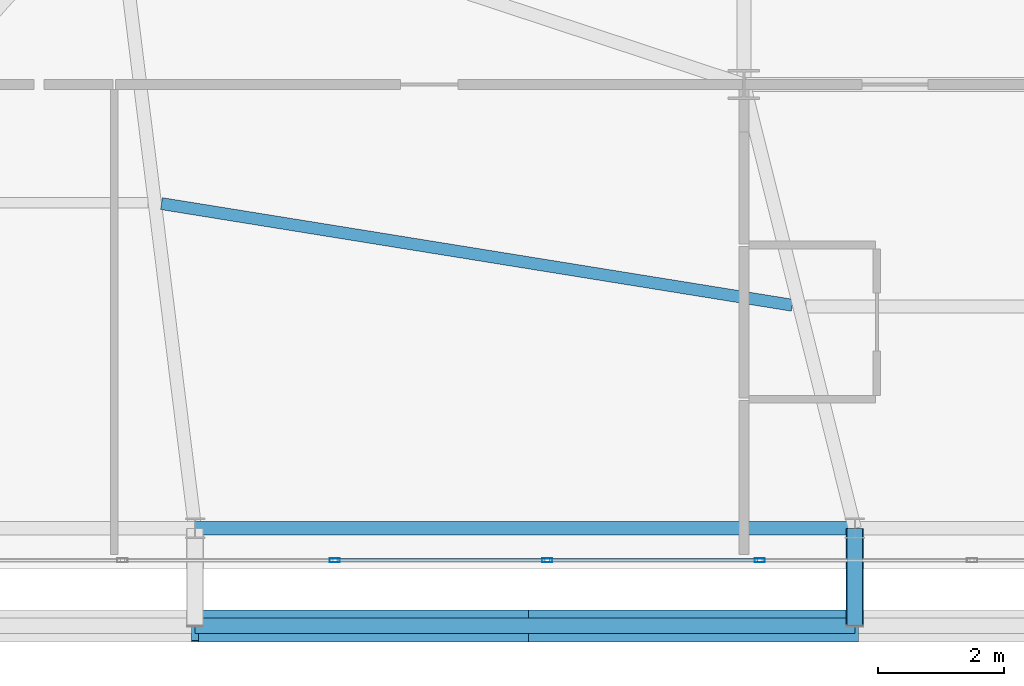
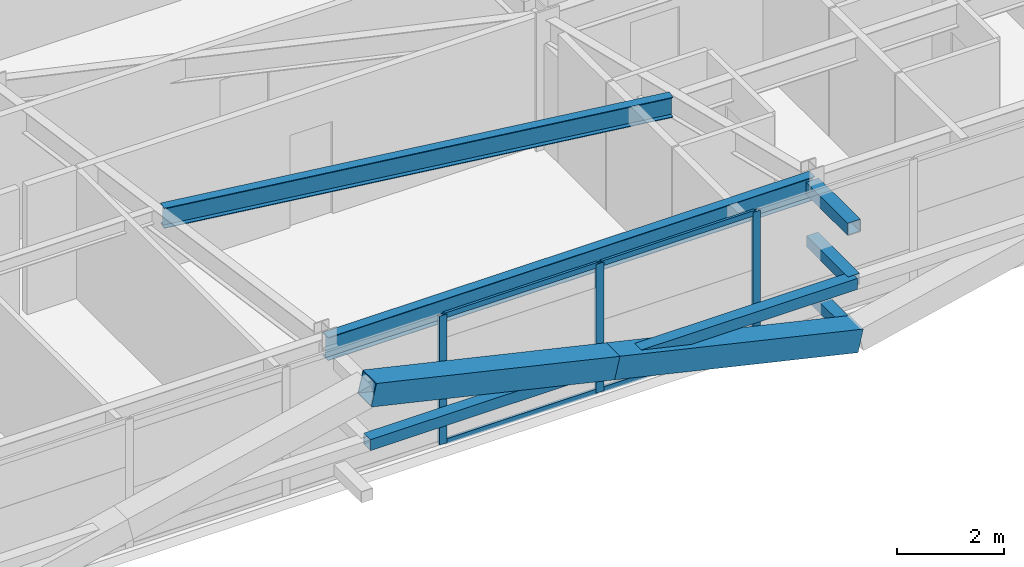
# One storey, part 11 of 59: 13 members, 2 beams, 1 element without a shape of its own.
"""IFC4 building model written with IfcOpenShell, lengths in metres."""

import ifcopenshell
import ifcopenshell.guid

model = None  # the IFC model being written
_history = None  # IfcOwnerHistory: only IFC2X3 demands one
_inside = {}  # id of a spatial element -> (the spatial element, [elements in it])
_under = {}  # id of a project, library or spatial element -> (it, [spatial elements below it])
_declared = {}  # id of a project -> (the project, [libraries it declares])
_typed = {}  # id of a type object -> (the type object, [elements of that type])
_made_of = {}  # id of a material, layer set ... -> (it, [elements and type objects made of it])


def new_model(schema):
    """Start an empty IFC model of exactly this schema.

    Asked for "IFC4X3", IfcOpenShell would pick the latest addendum, in which some entities
    have other attributes; the version numbers below select the first issue.
    IFC2X3 requires an IfcOwnerHistory on every rooted entity: one is made here for all.
    """
    global model, _history
    if schema == "IFC4X3":
        model = ifcopenshell.file(schema_version=(4, 3, 0, 0))
    else:
        model = ifcopenshell.file(schema=schema)
    _inside.clear()
    _under.clear()
    _declared.clear()
    _typed.clear()
    _made_of.clear()
    _history = None
    if model.schema == "IFC2X3":
        org = make("IfcOrganization", Name="unknown")
        user = make(
            "IfcPersonAndOrganization",
            ThePerson=make("IfcPerson", FamilyName="unknown"),
            TheOrganization=org,
        )
        app = make(
            "IfcApplication",
            ApplicationDeveloper=org,
            Version="unknown",
            ApplicationFullName="unknown",
            ApplicationIdentifier="unknown",
        )
        _history = make(
            "IfcOwnerHistory",
            OwningUser=user,
            OwningApplication=app,
            ChangeAction="ADDED",
            CreationDate=0,
        )
    return model


def make(cls, **values):
    """One entity of the class cls with the attributes given. An attribute that is None is left unset."""
    return model.create_entity(
        cls, **{name: value for name, value in values.items() if value is not None}
    )


def rooted(cls, **values):
    """An entity with a GlobalId (a new one), such as an element, a storey or a relation."""
    return make(cls, GlobalId=ifcopenshell.guid.new(), OwnerHistory=_history, **values)


def si_unit(unit_type, name, prefix=None):
    """IfcSIUnit, for example si_unit("LENGTHUNIT", "METRE", prefix="MILLI")."""
    return make("IfcSIUnit", UnitType=unit_type, Prefix=prefix, Name=name)


def assignment(units):
    """IfcUnitAssignment: the units of a project."""
    return None if units is None else make("IfcUnitAssignment", Units=units)


def point(xyz):
    """IfcCartesianPoint."""
    return None if xyz is None else make("IfcCartesianPoint", Coordinates=xyz)


def direction(xyz):
    """IfcDirection."""
    return None if xyz is None else make("IfcDirection", DirectionRatios=xyz)


def frame(location, z_axis=None, x_axis=None):
    """IfcAxis2Placement3D, a coordinate frame: its origin and axes. An axis left out is left unset."""
    return make(
        "IfcAxis2Placement3D",
        Location=point(location),
        Axis=direction(z_axis),
        RefDirection=direction(x_axis),
    )


def frame_2d(location, x_axis=None):
    """IfcAxis2Placement2D, a coordinate frame in the plane: its origin and x axis."""
    return make(
        "IfcAxis2Placement2D", Location=point(location), RefDirection=direction(x_axis)
    )


def origin():
    """The frame at (0, 0, 0) with its axes left unset."""
    return frame((0.0, 0.0, 0.0))


def origin_2d():
    """The frame at (0, 0) in the plane with its x axis left unset."""
    return frame_2d((0.0, 0.0))


def place(relative_to, where):
    """IfcLocalPlacement: puts the frame where relative to a parent placement (None: the world)."""
    return make(
        "IfcLocalPlacement", PlacementRelTo=relative_to, RelativePlacement=where
    )


def context(
    kind, dimensions, precision=None, world=None, true_north=None, identifier=None
):
    """IfcGeometricRepresentationContext, for example the 3D "Model" context."""
    return make(
        "IfcGeometricRepresentationContext",
        ContextIdentifier=identifier,
        ContextType=kind,
        CoordinateSpaceDimension=dimensions,
        Precision=precision,
        WorldCoordinateSystem=world,
        TrueNorth=true_north,
    )


def subcontext(parent, identifier, kind, view, scale=None):
    """IfcGeometricRepresentationSubContext, for example "Body" below "Model"."""
    return make(
        "IfcGeometricRepresentationSubContext",
        ContextIdentifier=identifier,
        ContextType=kind,
        ParentContext=parent,
        TargetScale=scale,
        TargetView=view,
    )


def project(units=None, contexts=None):
    """IfcProject with its units and contexts."""
    return rooted(
        "IfcProject",
        Name="project",
        RepresentationContexts=contexts,
        UnitsInContext=assignment(units),
    )


def spatial(cls, under=None, at=None, **own):
    """A site, building, storey or space (cls), placed at a placement, below another one or the project."""
    s = rooted(cls, ObjectPlacement=at, **own)
    if under is not None:
        _under.setdefault(under.id(), (under, []))[1].append(s)
    return s


def profile(cls, at=None, kind="AREA", **sizes):
    """A parametric profile (cls). Its sizes go by their IFC names, for example OverallWidth=200.0."""
    return make(cls, ProfileType=kind, Position=at, **sizes)


def hollow_rectangle(**sizes):
    """IfcRectangleHollowProfileDef."""
    return profile("IfcRectangleHollowProfileDef", **sizes)


def i_section(**sizes):
    """IfcIShapeProfileDef."""
    return profile("IfcIShapeProfileDef", **sizes)


def extrude(swept, where, along, depth):
    """IfcExtrudedAreaSolid: the profile swept, set in the frame where, extruded along a direction by depth."""
    return make(
        "IfcExtrudedAreaSolid",
        SweptArea=swept,
        Position=where,
        ExtrudedDirection=direction(along),
        Depth=depth,
    )


def shape(context_of_items, identifier, shape_type, items):
    """IfcShapeRepresentation: the items that make up one representation, for example the "Body"."""
    return make(
        "IfcShapeRepresentation",
        ContextOfItems=context_of_items,
        RepresentationIdentifier=identifier,
        RepresentationType=shape_type,
        Items=items,
    )


def source(mapping_origin, context_of_items, identifier, shape_type, items):
    """IfcRepresentationMap: a shape defined once, which mapped items show again and again."""
    return make(
        "IfcRepresentationMap",
        MappingOrigin=mapping_origin,
        MappedRepresentation=shape(context_of_items, identifier, shape_type, items),
    )


def transform(
    local_origin,
    x_axis=None,
    y_axis=None,
    z_axis=None,
    scale=None,
    scale2=None,
    scale3=None,
    uniform=True,
):
    """IfcCartesianTransformationOperator3D, or its non-uniform kind. x_axis, y_axis, z_axis: its Axis1, 2, 3."""
    if uniform:
        return make(
            "IfcCartesianTransformationOperator3D",
            Axis1=direction(x_axis),
            Axis2=direction(y_axis),
            LocalOrigin=point(local_origin),
            Scale=scale,
            Axis3=direction(z_axis),
        )
    return make(
        "IfcCartesianTransformationOperator3DnonUniform",
        Axis1=direction(x_axis),
        Axis2=direction(y_axis),
        LocalOrigin=point(local_origin),
        Scale=scale,
        Axis3=direction(z_axis),
        Scale2=scale2,
        Scale3=scale3,
    )


def mapped(mapping_source, mapping_target):
    """IfcMappedItem: shows the shape of a source again, moved by a transform."""
    return make(
        "IfcMappedItem", MappingSource=mapping_source, MappingTarget=mapping_target
    )


def material(Name=None, Category=None):
    """IfcMaterial."""
    return make("IfcMaterial", Name=Name, Category=Category)


def layer(
    of_material, thickness, ventilated=None, Name=None, Category=None, Priority=None
):
    """IfcMaterialLayer: one layer of a wall or slab, of a material (None: an air gap)."""
    return make(
        "IfcMaterialLayer",
        Material=of_material,
        LayerThickness=thickness,
        IsVentilated=ventilated,
        Name=Name,
        Category=Category,
        Priority=Priority,
    )


def layer_set(layers, Name=None):
    """IfcMaterialLayerSet."""
    return make("IfcMaterialLayerSet", MaterialLayers=layers, LayerSetName=Name)


def material_profile(
    of_material, cross_section, Name=None, Category=None, Priority=None
):
    """IfcMaterialProfile: a cross section and its material."""
    return make(
        "IfcMaterialProfile",
        Name=Name,
        Material=of_material,
        Profile=cross_section,
        Priority=Priority,
        Category=Category,
    )


def profile_set(profiles, Name=None, composite=None):
    """IfcMaterialProfileSet."""
    return make(
        "IfcMaterialProfileSet",
        Name=Name,
        MaterialProfiles=profiles,
        CompositeProfile=composite,
    )


def made_of(thing, what):
    """Note that an element or type object is made of a material, layer set ...; save() writes the relation."""
    if what is not None:
        _made_of.setdefault(what.id(), (what, []))[1].append(thing)
    return thing


def type_object(cls, material=None, **own):
    """A type object (cls), such as IfcWallType, which elements share."""
    return made_of(rooted(cls, **own), material)


def element(
    cls,
    number,
    at=None,
    inside=None,
    cuts=None,
    type_object=None,
    material=None,
    context=None,
    identifier="Body",
    shape_type=None,
    held_by="IfcProductDefinitionShape",
    body=None,
    shapes=None,
    **own,
):
    """One element of the class cls, such as IfcWall. Its Tag is "e" and its number.

    at: its placement. inside: the storey or other place that contains it. cuts: it is an
    opening in that element (IfcRelVoidsElement). A single representation is given by context,
    identifier, shape_type and body (its items); several are given by shapes. held_by: the class
    of the entity that holds the representations. save() writes the other relations.
    """
    e = rooted(cls, Tag="e%d" % number, ObjectPlacement=at, **own)
    if body is not None:
        shapes = [shape(context, identifier, shape_type, body)]
    if shapes is not None:
        e.Representation = make(held_by, Representations=shapes)
    if inside is not None:
        _inside.setdefault(inside.id(), (inside, []))[1].append(e)
    if cuts is not None:
        rooted(
            "IfcRelVoidsElement", RelatingBuildingElement=cuts, RelatedOpeningElement=e
        )
    if type_object is not None:
        _typed.setdefault(type_object.id(), (type_object, []))[1].append(e)
    return made_of(e, material)


def aggregate(whole, parts):
    """IfcRelAggregates: a whole, such as a stair, and the parts it consists of."""
    return rooted("IfcRelAggregates", RelatingObject=whole, RelatedObjects=parts)


def save(model, path):
    """Write the relations noted so far, then the file.

    IfcRelAggregates (storeys below a building ...), IfcRelContainedInSpatialStructure (elements
    in a storey), IfcRelDefinesByType, IfcRelAssociatesMaterial and IfcRelDeclares: one each for
    every whole, place, type object, material and project.
    """
    for whole, parts in _under.values():
        aggregate(whole, parts)
    for where, things in _inside.values():
        rooted(
            "IfcRelContainedInSpatialStructure",
            RelatedElements=things,
            RelatingStructure=where,
        )
    for kind, things in _typed.values():
        rooted("IfcRelDefinesByType", RelatedObjects=things, RelatingType=kind)
    for what, things in _made_of.values():
        rooted("IfcRelAssociatesMaterial", RelatedObjects=things, RelatingMaterial=what)
    for by, libraries in _declared.values():
        rooted("IfcRelDeclares", RelatingContext=by, RelatedDefinitions=libraries)
    model.write(path)


model = new_model("IFC4")

# Units and contexts
model_context = context("Model", 3, precision=1e-05, world=origin(), true_north=direction((0.0, 1.0)))
body_context = subcontext(model_context, "Body", "Model", "MODEL_VIEW")
ifc_project = project(units=[si_unit("LENGTHUNIT", "METRE"), si_unit("AREAUNIT", "SQUARE_METRE"), si_unit("VOLUMEUNIT", "CUBIC_METRE"), si_unit("PLANEANGLEUNIT", "RADIAN"), si_unit("MASSUNIT", "GRAM", prefix="KILO")], contexts=[model_context])

# Site, building, storey
site_placement = place(None, origin())
site = spatial("IfcSite", under=ifc_project, at=site_placement, CompositionType="ELEMENT")
building_placement = place(site_placement, origin())
building = spatial("IfcBuilding", under=site, at=building_placement, Name="Taldren Reach Tower", CompositionType="ELEMENT")
storey_placement = place(building_placement, frame((0.0, 0.0, 48.300048828125)))
storey = spatial("IfcBuildingStorey", under=building, at=storey_placement, Name="L14", CompositionType="ELEMENT", Elevation=48.300048828125)

# Beams
ifc_material_1 = material(Name="Steel Gr 350 (350PLUS)", Category="steel")
ifc_material_profile_1 = material_profile(ifc_material_1, i_section(OverallWidth=0.208984375, OverallDepth=0.528076171875, WebThickness=0.009521484375, FlangeThickness=0.01318359375, at=origin_2d()), Name="530UB82.0")
ifc_profile_set_1 = profile_set([ifc_material_profile_1], Name="Steel Gr 350 (350PLUS)")
beam_type_1 = type_object("IfcBeamType", Name="SP-UB530B", PredefinedType="SPANDREL", material=ifc_profile_set_1)
shared_shape_1 = source(origin(), body_context, "Body", "SweptSolid", [
    extrude(i_section(OverallWidth=0.208984375, OverallDepth=0.528076171875, WebThickness=0.009521484375, FlangeThickness=0.01318359375, at=origin_2d()), origin(), (0.0, 0.0, 1.0), 10.47998046875),
])
beam_1_placement = place(storey_placement, frame((19.280029296875, 2.14990234375, 2.666015625), z_axis=(1.0, 0.0, 0.0), x_axis=(0.0, 1.0, 0.0)))
element("IfcBeam", 1, at=beam_1_placement, inside=storey, type_object=beam_type_1, Name="Perimeter spandrel B1 S2-S3 L14", PredefinedType="SPANDREL", context=body_context, shape_type="MappedRepresentation", body=[
    mapped(shared_shape_1, transform((0.0, 0.0, 0.0), scale=1.0)),
])
ifc_material_profile_2 = material_profile(ifc_material_1, i_section(OverallWidth=0.19091796875, OverallDepth=0.4599609375, WebThickness=0.010009765625, FlangeThickness=0.01611328125, at=origin_2d()), Name="460UB82.1")
ifc_profile_set_2 = profile_set([ifc_material_profile_2], Name="Steel Gr 350 (350PLUS)")
beam_type_2 = type_object("IfcBeamType", Name="BM-UB460A", PredefinedType="BEAM", material=ifc_profile_set_2)
shared_shape_2 = source(origin(), body_context, "Body", "SweptSolid", [
    extrude(i_section(OverallWidth=0.19091796875, OverallDepth=0.4599609375, WebThickness=0.010009765625, FlangeThickness=0.01611328125, at=origin_2d()), origin(), (0.0, 0.0, 1.0), 10.1494140625),
])
beam_2_placement = place(storey_placement, frame((18.74755859375, 7.3076171875, 2.699951171875), z_axis=(0.987266967452, -0.159072106224, 0.0), x_axis=(0.159072106224, 0.987266967452, 0.0)))
element("IfcBeam", 2, at=beam_2_placement, inside=storey, type_object=beam_type_2, Name="Secondary floor beam B1 J2 L14", PredefinedType="BEAM", context=body_context, shape_type="MappedRepresentation", body=[
    mapped(shared_shape_2, transform((0.0, 0.0, 0.0), scale=1.0)),
])

# Members
ifc_material_2 = material(Name="Steel Gr 450 (C450L0)", Category="steel")
ifc_material_profile_3 = material_profile(ifc_material_2, hollow_rectangle(XDim=0.27490234375, YDim=0.27490234375, WallThickness=0.00927734375, at=origin_2d()), Name="275x275x9.3SHS")
ifc_profile_set_3 = profile_set([ifc_material_profile_3], Name="Steel Gr 450 (C450L0)")
member_type_1 = type_object("IfcMemberType", Name="MB-TIE273", PredefinedType="STRUT", material=ifc_profile_set_3)
shared_shape_3 = source(origin(), body_context, "Body", "SweptSolid", [
    extrude(hollow_rectangle(XDim=0.27490234375, YDim=0.27490234375, WallThickness=0.00927734375, at=origin_2d()), origin(), (0.0, 0.0, 1.0), 1.5498046875),
])
member_1_placement = place(storey_placement, frame((29.760009765625, 2.14990234375, 2.64990234375), z_axis=(0.0, -1.0, 0.0), x_axis=(1.0, 0.0, 0.0)))
element("IfcMember", 3, at=member_1_placement, inside=storey, type_object=member_type_1, Name="Exoskeleton diaphragm tie strut B1-S3 L14", PredefinedType="STRUT", context=body_context, shape_type="MappedRepresentation", body=[
    mapped(shared_shape_3, transform((0.0, 0.0, 0.0), scale=1.0)),
])
ifc_material_profile_4 = material_profile(ifc_material_2, hollow_rectangle(XDim=0.510009765625, YDim=0.510009765625, WallThickness=0.02001953125, at=origin_2d()), Name="510x510x20.0SHS")
ifc_profile_set_4 = profile_set([ifc_material_profile_4], Name="Steel Gr 450 (C450L0)")
member_type_2 = type_object("IfcMemberType", Name="MB-EXO508", PredefinedType="BRACE", material=ifc_profile_set_4)
shared_shape_4 = source(origin(), body_context, "Body", "SweptSolid", [
    extrude(hollow_rectangle(XDim=0.510009765625, YDim=0.510009765625, WallThickness=0.02001953125, at=origin_2d()), origin(), (0.0, 0.0, 1.0), 5.37890625),
])
for number, where, z_axis, x_axis, name in (
    (4, (29.760009765625, 0.60009765625, 0.219970703125), (-0.97415197996, 0.0, 0.225893603143), (0.0, -1.0, 0.0), "Exoskeleton Diagrid Brace B1-S2 L14"),
    (5, (24.52001953125, 0.60009765625, 1.43505859375), (-0.974161966843, 0.0, 0.225850531007), (0.0, -1.0, 0.0), "Exoskeleton Diagrid Brace B1-S2 L14"),
):
    element("IfcMember", number, at=place(storey_placement, frame(where, z_axis=z_axis, x_axis=x_axis)), inside=storey, type_object=member_type_2, Name=name, PredefinedType="BRACE", context=body_context, shape_type="MappedRepresentation", body=[
        mapped(shared_shape_4, transform((0.0, 0.0, 0.0), scale=1.0)),
    ])
ifc_material_3 = material(Name="Steel Gr 350 (C350L0)", Category="steel")
ifc_material_profile_5 = material_profile(ifc_material_3, hollow_rectangle(XDim=0.25, YDim=0.25, WallThickness=0.010009765625, at=origin_2d()), Name="250x250x10.0SHS")
ifc_profile_set_5 = profile_set([ifc_material_profile_5], Name="Steel Gr 350 (C350L0)")
member_type_3 = type_object("IfcMemberType", Name="MB-POST250", PredefinedType="POST", material=ifc_profile_set_5)
shared_shape_5 = source(origin(), body_context, "Body", "SweptSolid", [
    extrude(hollow_rectangle(XDim=0.25, YDim=0.25, WallThickness=0.010009765625, at=origin_2d()), origin(), (0.0, 0.0, 1.0), 10.47998046875),
])
member_2_placement = place(storey_placement, frame((19.280029296875, 0.60009765625, 1.43505859375), z_axis=(1.0, 0.0, 0.0), x_axis=(0.0, 1.0, 0.0)))
element("IfcMember", 6, at=member_2_placement, inside=storey, type_object=member_type_3, Name="Exoskeleton mid-height ring chord B1-S2 L14", PredefinedType="POST", context=body_context, shape_type="MappedRepresentation", body=[
    mapped(shared_shape_5, transform((0.0, 0.0, 0.0), scale=1.0)),
])
shared_shape_6 = source(origin(), body_context, "Body", "SweptSolid", [
    extrude(hollow_rectangle(XDim=0.25, YDim=0.25, WallThickness=0.010009765625, at=origin_2d()), origin(), (0.0, 0.0, 1.0), 1.5498046875),
])
for number, where, z_axis, x_axis, name in (
    (7, (29.760009765625, 2.14990234375, 0.219970703125), (0.0, -1.0, 0.0), (1.0, 0.0, 0.0), "Exoskeleton base diaphragm tie strut B1-S3 L14"),
    (8, (29.760009765625, 2.14990234375, 1.43505859375), (0.0, -1.0, 0.0), (1.0, 0.0, 0.0), "Exoskeleton mid-tier diaphragm tie B1-S3 L14"),
):
    element("IfcMember", number, at=place(storey_placement, frame(where, z_axis=z_axis, x_axis=x_axis)), inside=storey, type_object=member_type_3, Name=name, PredefinedType="POST", context=body_context, shape_type="MappedRepresentation", body=[
        mapped(shared_shape_6, transform((0.0, 0.0, 0.0), scale=1.0)),
    ])

# Curtain wall, members
ifc_material_4 = material(Name="Aluminium and Low-E Glass Unitised System", Category="aluminium")
ifc_layer = layer(ifc_material_4, 0.159912109375)
ifc_layer_set = layer_set([ifc_layer], Name="Aluminium and Low-E Glass Unitised System")
curtain_wall_type = type_object("IfcCurtainWallType", Name="CW-SYS-2", PredefinedType="NOTDEFINED", material=ifc_layer_set)
curtain_wall_placement = place(storey_placement, origin())
curtain_wall = element("IfcCurtainWall", 9, at=curtain_wall_placement, inside=storey, type_object=curtain_wall_type, Name="Unitised curtain wall CW-L14-S", PredefinedType="NOTDEFINED")
ifc_material_5 = material(Name="Anodised Aluminium 6063-T6", Category="aluminium")
ifc_material_profile_6 = material_profile(ifc_material_5, hollow_rectangle(XDim=0.06494140625, YDim=0.1650390625, WallThickness=0.00390625, at=origin_2d()), Name="ALU-165x65x4RHS")
ifc_profile_set_6 = profile_set([ifc_material_profile_6], Name="Anodised Aluminium 6063-T6")
member_type_4 = type_object("IfcMemberType", Name="CW-MUL-165", PredefinedType="MULLION", material=ifc_profile_set_6)
shared_shape_7 = source(origin(), body_context, "Body", "SweptSolid", [
    extrude(hollow_rectangle(XDim=0.06494140625, YDim=0.1650390625, WallThickness=0.00390625, at=origin_2d()), origin(), (0.0, 0.0, 1.0), 2.929931640625),
])
member_3_placement = place(storey_placement, frame((21.5, 1.639892578125, 0.0), z_axis=(0.0, 0.0, 1.0), x_axis=(0.0, 1.0, 0.0)))
member_3 = element("IfcMember", 10, at=member_3_placement, type_object=member_type_4, Name="CW-2 mullion 5", PredefinedType="MULLION", context=body_context, shape_type="MappedRepresentation", body=[
    mapped(shared_shape_7, transform((0.0, 0.0, 0.0), scale=1.0)),
])
member_4_placement = place(storey_placement, frame((24.875, 1.639892578125, 0.0), z_axis=(0.0, 0.0, 1.0), x_axis=(0.0, 1.0, 0.0)))
member_4 = element("IfcMember", 11, at=member_4_placement, type_object=member_type_4, Name="CW-2 mullion 6", PredefinedType="MULLION", context=body_context, shape_type="MappedRepresentation", body=[
    mapped(shared_shape_7, transform((0.0, 0.0, 0.0), scale=1.0)),
])
member_5_placement = place(storey_placement, frame((28.25, 1.639892578125, 0.0), z_axis=(0.0, 0.0, 1.0), x_axis=(0.0, 1.0, 0.0)))
member_5 = element("IfcMember", 12, at=member_5_placement, type_object=member_type_4, Name="CW-2 mullion 7", PredefinedType="MULLION", context=body_context, shape_type="MappedRepresentation", body=[
    mapped(shared_shape_7, transform((0.0, 0.0, 0.0), scale=1.0)),
])
ifc_material_profile_7 = material_profile(ifc_material_5, hollow_rectangle(XDim=0.054931640625, YDim=0.1201171875, WallThickness=0.0029296875, at=origin_2d()), Name="ALU-120x55x3RHS")
ifc_profile_set_7 = profile_set([ifc_material_profile_7], Name="Anodised Aluminium 6063-T6")
member_type_5 = type_object("IfcMemberType", Name="CW-TRN-135", PredefinedType="USERDEFINED", material=ifc_profile_set_7)
shared_shape_8 = source(origin(), body_context, "Body", "SweptSolid", [
    extrude(hollow_rectangle(XDim=0.054931640625, YDim=0.1201171875, WallThickness=0.0029296875, at=origin_2d()), origin(), (0.0, 0.0, 1.0), 3.31005859375),
])
member_6_placement = place(storey_placement, frame((21.532470703125, 1.639892578125, 0.02734375), z_axis=(1.0, 0.0, 0.0), x_axis=(0.0, 1.0, 0.0)))
member_6 = element("IfcMember", 13, at=member_6_placement, type_object=member_type_5, Name="CW-2 transom 5.1", ObjectType="TRANSOM", PredefinedType="USERDEFINED", context=body_context, shape_type="MappedRepresentation", body=[
    mapped(shared_shape_8, transform((0.0, 0.0, 0.0), scale=1.0)),
])
member_7_placement = place(storey_placement, frame((21.532470703125, 1.639892578125, 2.90234375), z_axis=(1.0, 0.0, 0.0), x_axis=(0.0, 1.0, 0.0)))
member_7 = element("IfcMember", 14, at=member_7_placement, type_object=member_type_5, Name="CW-2 transom 5.2", ObjectType="TRANSOM", PredefinedType="USERDEFINED", context=body_context, shape_type="MappedRepresentation", body=[
    mapped(shared_shape_8, transform((0.0, 0.0, 0.0), scale=1.0)),
])
member_8_placement = place(storey_placement, frame((24.907470703125, 1.639892578125, 0.02734375), z_axis=(1.0, 0.0, 0.0), x_axis=(0.0, 1.0, 0.0)))
member_8 = element("IfcMember", 15, at=member_8_placement, type_object=member_type_5, Name="CW-2 transom 6.1", ObjectType="TRANSOM", PredefinedType="USERDEFINED", context=body_context, shape_type="MappedRepresentation", body=[
    mapped(shared_shape_8, transform((0.0, 0.0, 0.0), scale=1.0)),
])
member_9_placement = place(storey_placement, frame((24.907470703125, 1.639892578125, 2.90234375), z_axis=(1.0, 0.0, 0.0), x_axis=(0.0, 1.0, 0.0)))
member_9 = element("IfcMember", 16, at=member_9_placement, type_object=member_type_5, Name="CW-2 transom 6.2", ObjectType="TRANSOM", PredefinedType="USERDEFINED", context=body_context, shape_type="MappedRepresentation", body=[
    mapped(shared_shape_8, transform((0.0, 0.0, 0.0), scale=1.0)),
])
aggregate(curtain_wall, [member_3, member_4, member_5, member_6, member_7, member_8, member_9])

save(model, "model.ifc")
